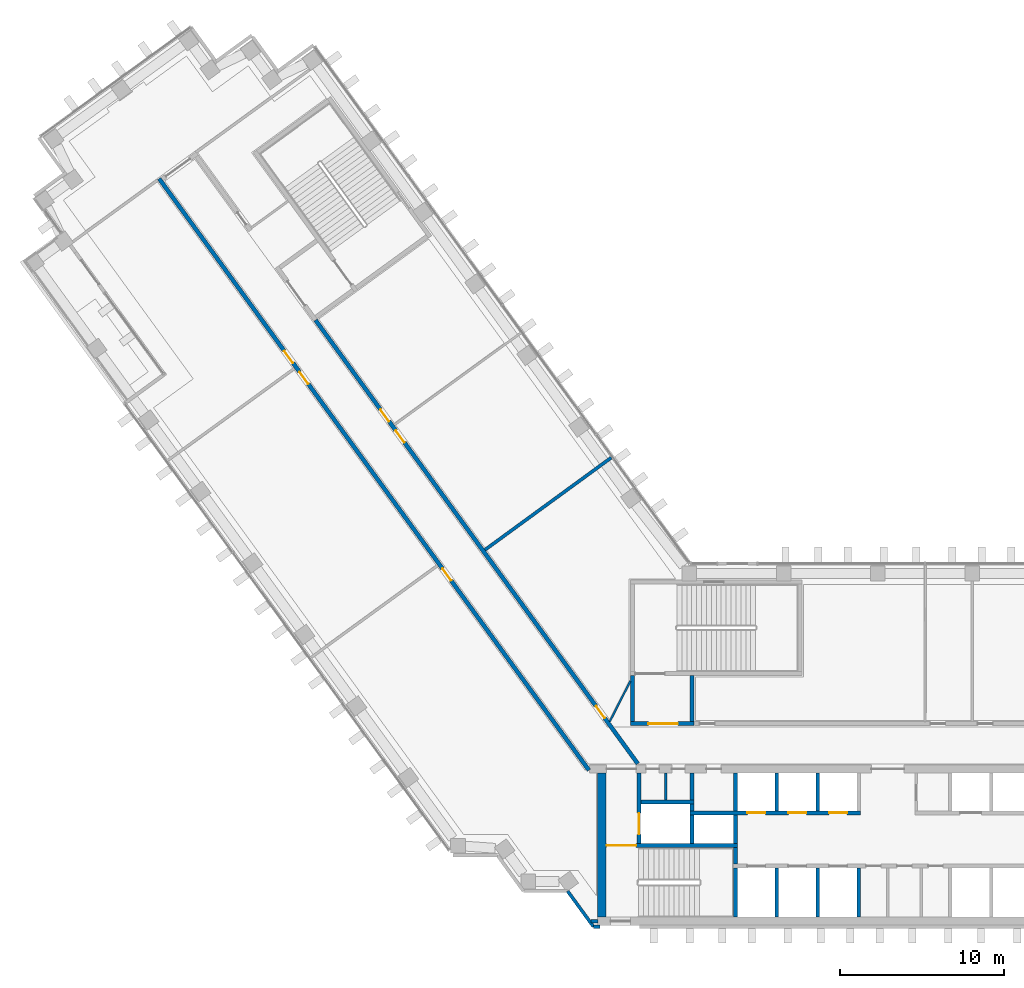
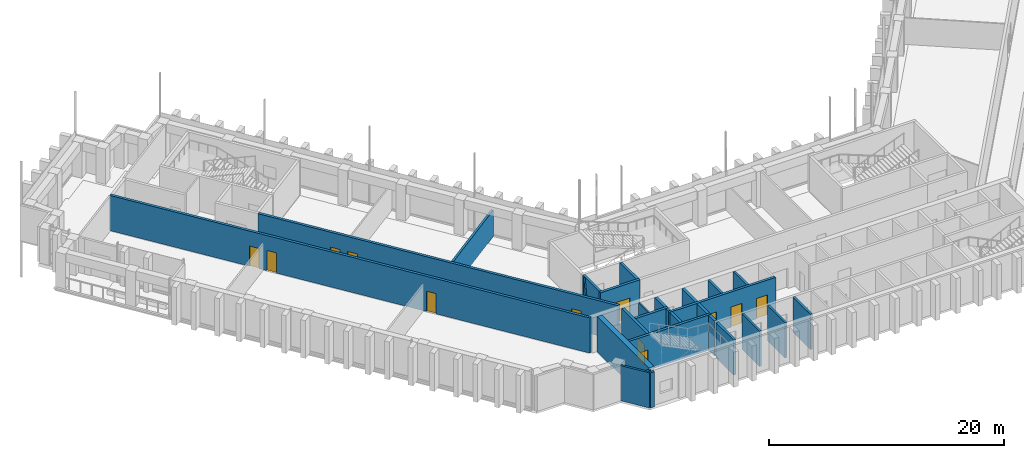
# One storey, part 11 of 19: 28 walls, 12 doors, 12 openings.
"""IFC4 building model written with IfcOpenShell, lengths in metres."""

from ifc_helpers import new_model, si_unit, direction, frame, frame_2d, origin, place, context, subcontext, project, spatial, rectangle, extrude, material, layer, layer_set, type_object, element, fill, save


model = new_model("IFC4")

# Units and contexts
model_context = context("Model", 3, precision=1e-05, world=origin(), true_north=direction((0.0, 1.0)))
body_context = subcontext(model_context, "Body", "Model", "MODEL_VIEW")
ifc_project = project(units=[si_unit("LENGTHUNIT", "METRE"), si_unit("AREAUNIT", "SQUARE_METRE"), si_unit("VOLUMEUNIT", "CUBIC_METRE"), si_unit("PLANEANGLEUNIT", "RADIAN"), si_unit("MASSUNIT", "GRAM", prefix="KILO")], contexts=[model_context])

# Site, building, storey
site_placement = place(None, origin())
site = spatial("IfcSite", under=ifc_project, at=site_placement, CompositionType="ELEMENT")
building_placement = place(site_placement, origin())
building = spatial("IfcBuilding", under=site, at=building_placement, Name="Quipu Civic Tower", CompositionType="ELEMENT")
storey_placement = place(building_placement, frame((0.0, 0.0, 35.0)))
storey = spatial("IfcBuildingStorey", under=building, at=storey_placement, Name="L07", CompositionType="ELEMENT", Elevation=35.0)

# Walls
ifc_material_1 = material(Name="Fired clay blockwork", Category="masonry")
ifc_layer_1 = layer(ifc_material_1, 0.199951171875)
ifc_layer_set_1 = layer_set([ifc_layer_1], Name="Fired clay blockwork")
wall_type_1 = type_object("IfcWallType", Name="Blockwork wall 200", PredefinedType="SOLIDWALL", material=ifc_layer_set_1)
wall_1_placement = place(storey_placement, frame((-26.882080078125, 11.93994140625, 0.0), z_axis=(0.0, 0.0, 1.0), x_axis=(0.807664588563, 0.589642190131, 0.0)))
element("IfcWall", 1, at=wall_1_placement, inside=storey, type_object=wall_type_1, Name="Partition P08", PredefinedType="SOLIDWALL", context=body_context, shape_type="SweptSolid", body=[
    extrude(rectangle(XDim=9.549560546875, YDim=0.199951171875, at=frame_2d((4.77490234375, 0.0))), origin(), (0.0, 0.0, 1.0), 2.75),
])
ifc_material_2 = material(Name="Concrete C70/85", Category="concrete")
ifc_layer_2 = layer(ifc_material_2, 0.25)
ifc_layer_set_2 = layer_set([ifc_layer_2], Name="Concrete C70/85")
wall_type_2 = type_object("IfcWallType", Name="Core wall 250", PredefinedType="SHEAR", material=ifc_layer_set_2)
wall_2_placement = place(storey_placement, frame((-11.574951171875, -10.5, 0.0), z_axis=(0.0, 0.0, 1.0), x_axis=(0.0, 1.0, 0.0)))
element("IfcWall", 2, at=wall_2_placement, inside=storey, type_object=wall_type_2, Name="Core wall", PredefinedType="SHEAR", context=body_context, shape_type="SweptSolid", body=[
    extrude(rectangle(XDim=3.0, YDim=0.25, at=frame_2d((1.5, 0.0))), origin(), (0.0, 0.0, 1.0), 3.64990234375),
])
wall_3_placement = place(storey_placement, frame((-11.574951171875, -7.25, 0.0), z_axis=(0.0, 0.0, 1.0), x_axis=(0.0, 1.0, 0.0)))
element("IfcWall", 3, at=wall_3_placement, inside=storey, type_object=wall_type_2, Name="Core wall", PredefinedType="SHEAR", context=body_context, shape_type="SweptSolid", body=[
    extrude(rectangle(XDim=1.0, YDim=0.25, at=frame_2d((0.5, 0.0))), origin(), (0.0, 0.0, 1.0), 3.64990234375),
])

# Wall, opening, door
wall_4_placement = place(storey_placement, frame((-11.449951171875, -6.125, 0.0), z_axis=(0.0, 0.0, 1.0), x_axis=(-1.0, 0.0, 0.0)))
wall_4 = element("IfcWall", 4, at=wall_4_placement, inside=storey, type_object=wall_type_2, Name="Core wall", PredefinedType="SHEAR", context=body_context, shape_type="SweptSolid", body=[
    extrude(rectangle(XDim=8.050048828125, YDim=0.25, at=frame_2d((4.02490234375, 0.0))), origin(), (0.0, 0.0, 1.0), 3.64990234375),
])
opening_1_placement = place(wall_4_placement, frame((6.199951171875, 0.0, 0.0)))
opening_1 = element("IfcOpeningElement", 5, at=opening_1_placement, cuts=wall_4, Name="Opening CD-04", PredefinedType="OPENING", context=body_context, shape_type="SweptSolid", body=[
    extrude(rectangle(XDim=1.800048828125, YDim=2.10009765625, at=frame_2d((0.89990234375, 1.050048828125))), frame((0.0, 0.135009765625, 0.0), z_axis=(0.0, -1.0, 0.0), x_axis=(1.0, 0.0, 0.0)), (0.0, 0.0, 1.0), 0.27001953125),
])
ifc_material_3 = material(Name="Fire rated steel door", Category="steel")
door_type_1 = type_object("IfcDoorType", Name="Fire door FD90 double 1800 x 2100", OperationType="NOTDEFINED", PredefinedType="DOOR", material=ifc_material_3)
door_1_placement = place(opening_1_placement, origin())
door_1 = element("IfcDoor", 6, at=door_1_placement, inside=storey, type_object=door_type_1, Name="Door", OperationType="DOUBLE_DOOR_SINGLE_SWING", OverallHeight=2.10009765625, OverallWidth=1.800048828125, PredefinedType="DOOR", context=body_context, shape_type="SweptSolid", body=[
    extrude(rectangle(XDim=1.800048828125, YDim=2.10009765625, at=frame_2d((0.89990234375, 1.050048828125))), frame((0.0, 0.02490234375, 0.0), z_axis=(0.0, -1.0, 0.0), x_axis=(1.0, 0.0, 0.0)), (0.0, 0.0, 1.0), 0.050048828125),
])
fill(opening_1, door_1)

wall_5_placement = place(storey_placement, frame((-17.47509765625, -6.0, 0.0), z_axis=(0.0, 0.0, 1.0), x_axis=(0.0, 1.0, 0.0)))
wall_5 = element("IfcWall", 7, at=wall_5_placement, inside=storey, type_object=wall_type_2, Name="Core wall", PredefinedType="SHEAR", context=body_context, shape_type="SweptSolid", body=[
    extrude(rectangle(XDim=4.300048828125, YDim=0.25, at=frame_2d((2.14990234375, 0.0))), origin(), (0.0, 0.0, 1.0), 3.64990234375),
])
opening_2_placement = place(wall_5_placement, frame((0.550048828125, 0.0, 0.0)))
opening_2 = element("IfcOpeningElement", 8, at=opening_2_placement, cuts=wall_5, Name="Opening LD-FF1", PredefinedType="OPENING", context=body_context, shape_type="SweptSolid", body=[
    extrude(rectangle(XDim=1.300048828125, YDim=2.10009765625, at=frame_2d((0.64990234375, 1.050048828125))), frame((0.0, 0.135009765625, 0.0), z_axis=(0.0, -1.0, 0.0), x_axis=(1.0, 0.0, 0.0)), (0.0, 0.0, 1.0), 0.27001953125),
])
ifc_material_4 = material(Name="Stainless steel", Category="steel")
door_type_2 = type_object("IfcDoorType", Name="Lift landing door 1300 x 2100", OperationType="DOUBLE_DOOR_SLIDING", PredefinedType="DOOR", material=ifc_material_4)
door_2_placement = place(opening_2_placement, origin())
door_2 = element("IfcDoor", 9, at=door_2_placement, inside=storey, type_object=door_type_2, Name="Landing door FF1", OperationType="DOUBLE_DOOR_SLIDING", OverallHeight=2.10009765625, OverallWidth=1.300048828125, PredefinedType="DOOR", context=body_context, shape_type="SweptSolid", body=[
    extrude(rectangle(XDim=1.300048828125, YDim=2.10009765625, at=frame_2d((0.64990234375, 1.050048828125))), frame((0.0, 0.02490234375, 0.0), z_axis=(0.0, -1.0, 0.0), x_axis=(1.0, 0.0, 0.0)), (0.0, 0.0, 1.0), 0.050048828125),
])
fill(opening_2, door_2)

# Walls
for number, where, z_axis, x_axis, name in (
    (10, (-14.22509765625, -6.0, 0.0), (0.0, 0.0, 1.0), (0.0, 1.0, 0.0), "Core wall"),
    (11, (-11.574951171875, -6.0, 0.0), (0.0, 0.0, 1.0), (0.0, 1.0, 0.0), "Core wall"),
):
    element("IfcWall", number, at=place(storey_placement, frame(where, z_axis=z_axis, x_axis=x_axis)), inside=storey, type_object=wall_type_2, Name=name, PredefinedType="SHEAR", context=body_context, shape_type="SweptSolid", body=[
        extrude(rectangle(XDim=1.75, YDim=0.25, at=frame_2d((0.875, 0.0))), origin(), (0.0, 0.0, 1.0), 3.64990234375),
    ])

# Wall, openings, doors
wall_6_placement = place(storey_placement, frame((-14.35009765625, -4.125, 0.0), z_axis=(0.0, 0.0, 1.0), x_axis=(1.0, 0.0, 0.0)))
wall_6 = element("IfcWall", 12, at=wall_6_placement, inside=storey, type_object=wall_type_2, Name="Core wall", PredefinedType="SHEAR", context=body_context, shape_type="SweptSolid", body=[
    extrude(rectangle(XDim=10.400146484375, YDim=0.25, at=frame_2d((5.2001953125, 0.0))), origin(), (0.0, 0.0, 1.0), 3.64990234375),
])
opening_3_placement = place(wall_6_placement, frame((3.5, 0.0, 0.0)))
opening_3 = element("IfcOpeningElement", 13, at=opening_3_placement, cuts=wall_6, Name="Opening LD-LL4", PredefinedType="OPENING", context=body_context, shape_type="SweptSolid", body=[
    extrude(rectangle(XDim=1.10009765625, YDim=2.10009765625, at=frame_2d((0.550048828125, 1.050048828125))), frame((0.0, 0.135009765625, 0.0), z_axis=(0.0, -1.0, 0.0), x_axis=(1.0, 0.0, 0.0)), (0.0, 0.0, 1.0), 0.27001953125),
])
opening_4_placement = place(wall_6_placement, frame((6.0, 0.0, 0.0)))
opening_4 = element("IfcOpeningElement", 14, at=opening_4_placement, cuts=wall_6, Name="Opening LD-LL5", PredefinedType="OPENING", context=body_context, shape_type="SweptSolid", body=[
    extrude(rectangle(XDim=1.10009765625, YDim=2.10009765625, at=frame_2d((0.550048828125, 1.050048828125))), frame((0.0, 0.135009765625, 0.0), z_axis=(0.0, -1.0, 0.0), x_axis=(1.0, 0.0, 0.0)), (0.0, 0.0, 1.0), 0.27001953125),
])
opening_5_placement = place(wall_6_placement, frame((8.5, 0.0, 0.0)))
opening_5 = element("IfcOpeningElement", 15, at=opening_5_placement, cuts=wall_6, Name="Opening LD-LL6", PredefinedType="OPENING", context=body_context, shape_type="SweptSolid", body=[
    extrude(rectangle(XDim=1.10009765625, YDim=2.10009765625, at=frame_2d((0.550048828125, 1.050048828125))), frame((0.0, 0.135009765625, 0.0), z_axis=(0.0, -1.0, 0.0), x_axis=(1.0, 0.0, 0.0)), (0.0, 0.0, 1.0), 0.27001953125),
])
ifc_material_5 = material(Name="Stainless steel", Category="steel")
door_type_3 = type_object("IfcDoorType", Name="Lift landing door 1100 x 2100", OperationType="DOUBLE_DOOR_SLIDING", PredefinedType="DOOR", material=ifc_material_5)
door_3_placement = place(opening_3_placement, origin())
door_3 = element("IfcDoor", 16, at=door_3_placement, inside=storey, type_object=door_type_3, Name="Landing door LL4", OperationType="DOUBLE_DOOR_SLIDING", OverallHeight=2.10009765625, OverallWidth=1.10009765625, PredefinedType="DOOR", context=body_context, shape_type="SweptSolid", body=[
    extrude(rectangle(XDim=1.10009765625, YDim=2.10009765625, at=frame_2d((0.550048828125, 1.050048828125))), frame((0.0, 0.02490234375, 0.0), z_axis=(0.0, -1.0, 0.0), x_axis=(1.0, 0.0, 0.0)), (0.0, 0.0, 1.0), 0.050048828125),
])
fill(opening_3, door_3)
door_4_placement = place(opening_4_placement, origin())
door_4 = element("IfcDoor", 17, at=door_4_placement, inside=storey, type_object=door_type_3, Name="Landing door LL5", OperationType="DOUBLE_DOOR_SLIDING", OverallHeight=2.10009765625, OverallWidth=1.10009765625, PredefinedType="DOOR", context=body_context, shape_type="SweptSolid", body=[
    extrude(rectangle(XDim=1.10009765625, YDim=2.10009765625, at=frame_2d((0.550048828125, 1.050048828125))), frame((0.0, 0.02490234375, 0.0), z_axis=(0.0, -1.0, 0.0), x_axis=(1.0, 0.0, 0.0)), (0.0, 0.0, 1.0), 0.050048828125),
])
fill(opening_4, door_4)
door_5_placement = place(opening_5_placement, origin())
door_5 = element("IfcDoor", 18, at=door_5_placement, inside=storey, type_object=door_type_3, Name="Landing door LL6", OperationType="DOUBLE_DOOR_SLIDING", OverallHeight=2.10009765625, OverallWidth=1.10009765625, PredefinedType="DOOR", context=body_context, shape_type="SweptSolid", body=[
    extrude(rectangle(XDim=1.10009765625, YDim=2.10009765625, at=frame_2d((0.550048828125, 1.050048828125))), frame((0.0, 0.02490234375, 0.0), z_axis=(0.0, -1.0, 0.0), x_axis=(1.0, 0.0, 0.0)), (0.0, 0.0, 1.0), 0.050048828125),
])
fill(opening_5, door_5)

# Walls
wall_7_placement = place(storey_placement, frame((-14.22509765625, -4.0, 0.0), z_axis=(0.0, 0.0, 1.0), x_axis=(0.0, 1.0, 0.0)))
element("IfcWall", 19, at=wall_7_placement, inside=storey, type_object=wall_type_2, Name="Core wall", PredefinedType="SHEAR", context=body_context, shape_type="SweptSolid", body=[
    extrude(rectangle(XDim=0.39990234375, YDim=0.25, at=frame_2d((0.199951171875, 0.0))), origin(), (0.0, 0.0, 1.0), 3.64990234375),
])
wall_8_placement = place(storey_placement, frame((-11.574951171875, -4.0, 0.0), z_axis=(0.0, 0.0, 1.0), x_axis=(0.0, 1.0, 0.0)))
element("IfcWall", 20, at=wall_8_placement, inside=storey, type_object=wall_type_2, Name="Core wall", PredefinedType="SHEAR", context=body_context, shape_type="SweptSolid", body=[
    extrude(rectangle(XDim=2.300048828125, YDim=0.25, at=frame_2d((1.14990234375, 0.0))), origin(), (0.0, 0.0, 1.0), 3.64990234375),
])
wall_9_placement = place(storey_placement, frame((-17.35009765625, -3.47509765625, 0.0), z_axis=(0.0, 0.0, 1.0), x_axis=(1.0, 0.0, 0.0)))
element("IfcWall", 21, at=wall_9_placement, inside=storey, type_object=wall_type_2, Name="Core wall", PredefinedType="SHEAR", context=body_context, shape_type="SweptSolid", body=[
    extrude(rectangle(XDim=3.25, YDim=0.25, at=frame_2d((1.625, 0.0))), origin(), (0.0, 0.0, 1.0), 3.64990234375),
])
wall_10_placement = place(storey_placement, frame((-14.22509765625, -3.35009765625, 0.0), z_axis=(0.0, 0.0, 1.0), x_axis=(0.0, 1.0, 0.0)))
element("IfcWall", 22, at=wall_10_placement, inside=storey, type_object=wall_type_2, Name="Core wall", PredefinedType="SHEAR", context=body_context, shape_type="SweptSolid", body=[
    extrude(rectangle(XDim=1.650146484375, YDim=0.25, at=frame_2d((0.8251953125, 0.0))), origin(), (0.0, 0.0, 1.0), 3.64990234375),
])

# Wall, opening, door
wall_11_placement = place(storey_placement, frame((-18.0, 1.324951171875, 0.0), z_axis=(0.0, 0.0, 1.0), x_axis=(1.0, 0.0, 0.0)))
wall_11 = element("IfcWall", 23, at=wall_11_placement, inside=storey, type_object=wall_type_2, Name="Core wall", PredefinedType="SHEAR", context=body_context, shape_type="SweptSolid", body=[
    extrude(rectangle(XDim=3.89990234375, YDim=0.25, at=frame_2d((1.949951171875, 0.0))), origin(), (0.0, 0.0, 1.0), 3.64990234375),
])
opening_6_placement = place(wall_11_placement, frame((1.10009765625, 0.0, 0.0)))
opening_6 = element("IfcOpeningElement", 24, at=opening_6_placement, cuts=wall_11, Name="Opening CD-15", PredefinedType="OPENING", context=body_context, shape_type="SweptSolid", body=[
    extrude(rectangle(XDim=1.800048828125, YDim=2.10009765625, at=frame_2d((0.89990234375, 1.050048828125))), frame((0.0, 0.135009765625, 0.0), z_axis=(0.0, -1.0, 0.0), x_axis=(1.0, 0.0, 0.0)), (0.0, 0.0, 1.0), 0.27001953125),
])
door_6_placement = place(opening_6_placement, origin())
door_6 = element("IfcDoor", 25, at=door_6_placement, inside=storey, type_object=door_type_1, Name="Lobby door", OperationType="DOUBLE_DOOR_SINGLE_SWING", OverallHeight=2.10009765625, OverallWidth=1.800048828125, PredefinedType="DOOR", context=body_context, shape_type="SweptSolid", body=[
    extrude(rectangle(XDim=1.800048828125, YDim=2.10009765625, at=frame_2d((0.89990234375, 1.050048828125))), frame((0.0, 0.02490234375, 0.0), z_axis=(0.0, -1.0, 0.0), x_axis=(1.0, 0.0, 0.0)), (0.0, 0.0, 1.0), 0.050048828125),
])
fill(opening_6, door_6)

# Walls
for number, where, z_axis, x_axis, name in (
    (26, (-17.875, 1.449951171875, 0.0), (0.0, 0.0, 1.0), (0.0, 1.0, 0.0), "Core wall"),
    (27, (-14.22509765625, 1.449951171875, 0.0), (0.0, 0.0, 1.0), (0.0, 1.0, 0.0), "Core wall"),
):
    element("IfcWall", number, at=place(storey_placement, frame(where, z_axis=z_axis, x_axis=x_axis)), inside=storey, type_object=wall_type_2, Name=name, PredefinedType="SHEAR", context=body_context, shape_type="SweptSolid", body=[
        extrude(rectangle(XDim=2.800048828125, YDim=0.25, at=frame_2d((1.39990234375, 0.0))), origin(), (0.0, 0.0, 1.0), 3.64990234375),
    ])
ifc_material_6 = material(Name="Concrete C70/85", Category="concrete")
ifc_layer_3 = layer(ifc_material_6, 0.5)
ifc_layer_set_3 = layer_set([ifc_layer_3], Name="Concrete C70/85")
wall_type_3 = type_object("IfcWallType", Name="Core wall 500", PredefinedType="SHEAR", material=ifc_layer_set_3)
wall_12_placement = place(storey_placement, frame((-19.75, -10.5, 0.0), z_axis=(0.0, 0.0, 1.0), x_axis=(0.0, 1.0, 0.0)))
element("IfcWall", 28, at=wall_12_placement, inside=storey, type_object=wall_type_3, Name="Core wall", PredefinedType="SHEAR", context=body_context, shape_type="SweptSolid", body=[
    extrude(rectangle(XDim=8.800048828125, YDim=0.5, at=frame_2d((4.39990234375, 0.0))), origin(), (0.0, 0.0, 1.0), 3.64990234375),
])

# Wall, openings, doors
ifc_material_7 = material(Name="Concrete C50/60", Category="concrete")
ifc_layer_4 = layer(ifc_material_7, 0.25)
ifc_layer_set_4 = layer_set([ifc_layer_4], Name="Concrete C50/60")
wall_type_4 = type_object("IfcWallType", Name="Corridor wall 250 concrete", PredefinedType="SOLIDWALL", material=ifc_layer_set_4)
wall_13_placement = place(storey_placement, frame((-20.531005859375, -1.5234375, 0.0), z_axis=(0.0, 0.0, 1.0), x_axis=(-0.587784593204, 0.809017473231, 0.0)))
wall_13 = element("IfcWall", 29, at=wall_13_placement, inside=storey, type_object=wall_type_4, Name="Corridor wall C01", PredefinedType="SOLIDWALL", context=body_context, shape_type="SweptSolid", body=[
    extrude(rectangle(XDim=44.67041015625, YDim=0.25, at=frame_2d((22.335205078125, 0.0))), origin(), (0.0, 0.0, 1.0), 3.64990234375),
])
opening_7_placement = place(wall_13_placement, frame((30.765380859375, 0.0, 0.0)))
opening_7 = element("IfcOpeningElement", 30, at=opening_7_placement, cuts=wall_13, Name="Opening D017", PredefinedType="OPENING", context=body_context, shape_type="SweptSolid", body=[
    extrude(rectangle(XDim=0.89990234375, YDim=2.10009765625, at=frame_2d((0.449951171875, 1.050048828125))), frame((0.0, 0.135009765625, 0.0), z_axis=(0.0, -1.0, 0.0), x_axis=(1.0, 0.0, 0.0)), (0.0, 0.0, 1.0), 0.27001953125),
])
opening_8_placement = place(wall_13_placement, frame((14.31591796875, 0.0, 0.0)))
opening_8 = element("IfcOpeningElement", 31, at=opening_8_placement, cuts=wall_13, Name="Opening D019", PredefinedType="OPENING", context=body_context, shape_type="SweptSolid", body=[
    extrude(rectangle(XDim=0.89990234375, YDim=2.10009765625, at=frame_2d((0.449951171875, 1.050048828125))), frame((0.0, 0.135009765625, 0.0), z_axis=(0.0, -1.0, 0.0), x_axis=(1.0, 0.0, 0.0)), (0.0, 0.0, 1.0), 0.27001953125),
])
opening_9_placement = place(wall_13_placement, frame((29.166015625, 0.0, 0.0)))
opening_9 = element("IfcOpeningElement", 32, at=opening_9_placement, cuts=wall_13, Name="Opening D018", PredefinedType="OPENING", context=body_context, shape_type="SweptSolid", body=[
    extrude(rectangle(XDim=0.89990234375, YDim=2.10009765625, at=frame_2d((0.449951171875, 1.050048828125))), frame((0.0, 0.135009765625, 0.0), z_axis=(0.0, -1.0, 0.0), x_axis=(1.0, 0.0, 0.0)), (0.0, 0.0, 1.0), 0.27001953125),
])
ifc_material_8 = material(Name="Fire rated timber door set with metal frame", Category="wood")
door_type_4 = type_object("IfcDoorType", Name="Single door 900 x 2100 FD60", OperationType="NOTDEFINED", PredefinedType="DOOR", material=ifc_material_8)
door_7_placement = place(opening_7_placement, origin())
door_7 = element("IfcDoor", 33, at=door_7_placement, inside=storey, type_object=door_type_4, Name="Door D017", OperationType="SINGLE_SWING_LEFT", OverallHeight=2.10009765625, OverallWidth=0.89990234375, PredefinedType="DOOR", context=body_context, shape_type="SweptSolid", body=[
    extrude(rectangle(XDim=0.89990234375, YDim=2.10009765625, at=frame_2d((0.449951171875, 1.050048828125))), frame((0.0, 0.02490234375, 0.0), z_axis=(0.0, -1.0, 0.0), x_axis=(1.0, 0.0, 0.0)), (0.0, 0.0, 1.0), 0.050048828125),
])
fill(opening_7, door_7)
door_8_placement = place(opening_8_placement, origin())
door_8 = element("IfcDoor", 34, at=door_8_placement, inside=storey, type_object=door_type_4, Name="Door D019", OperationType="SINGLE_SWING_RIGHT", OverallHeight=2.10009765625, OverallWidth=0.89990234375, PredefinedType="DOOR", context=body_context, shape_type="SweptSolid", body=[
    extrude(rectangle(XDim=0.89990234375, YDim=2.10009765625, at=frame_2d((0.449951171875, 1.050048828125))), frame((0.0, 0.02490234375, 0.0), z_axis=(0.0, -1.0, 0.0), x_axis=(1.0, 0.0, 0.0)), (0.0, 0.0, 1.0), 0.050048828125),
])
fill(opening_8, door_8)
door_9_placement = place(opening_9_placement, origin())
door_9 = element("IfcDoor", 35, at=door_9_placement, inside=storey, type_object=door_type_4, Name="Door D018", OperationType="SINGLE_SWING_RIGHT", OverallHeight=2.10009765625, OverallWidth=0.89990234375, PredefinedType="DOOR", context=body_context, shape_type="SweptSolid", body=[
    extrude(rectangle(XDim=0.89990234375, YDim=2.10009765625, at=frame_2d((0.449951171875, 1.050048828125))), frame((0.0, 0.02490234375, 0.0), z_axis=(0.0, -1.0, 0.0), x_axis=(1.0, 0.0, 0.0)), (0.0, 0.0, 1.0), 0.050048828125),
])
fill(opening_9, door_9)

wall_14_placement = place(storey_placement, frame((-37.231689453125, 25.9716796875, 0.0), z_axis=(0.0, 0.0, 1.0), x_axis=(0.587786323093, -0.809016216391, 0.0)))
wall_14 = element("IfcWall", 36, at=wall_14_placement, inside=storey, type_object=wall_type_4, Name="Corridor wall C04", PredefinedType="SOLIDWALL", context=body_context, shape_type="SweptSolid", body=[
    extrude(rectangle(XDim=33.4931640625, YDim=0.25, at=frame_2d((16.74658203125, 0.0))), origin(), (0.0, 0.0, 1.0), 3.64990234375),
])
opening_10_placement = place(wall_14_placement, frame((8.334716796875, 0.0, 0.0)))
opening_10 = element("IfcOpeningElement", 37, at=opening_10_placement, cuts=wall_14, Name="Opening D015", PredefinedType="OPENING", context=body_context, shape_type="SweptSolid", body=[
    extrude(rectangle(XDim=0.89990234375, YDim=2.10009765625, at=frame_2d((0.449951171875, 1.050048828125))), frame((0.0, 0.135009765625, 0.0), z_axis=(0.0, -1.0, 0.0), x_axis=(1.0, 0.0, 0.0)), (0.0, 0.0, 1.0), 0.27001953125),
])
opening_11_placement = place(wall_14_placement, frame((29.151611328125, 0.0, 0.0)))
opening_11 = element("IfcOpeningElement", 38, at=opening_11_placement, cuts=wall_14, Name="Opening D016", PredefinedType="OPENING", context=body_context, shape_type="SweptSolid", body=[
    extrude(rectangle(XDim=0.89990234375, YDim=2.10009765625, at=frame_2d((0.449951171875, 1.050048828125))), frame((0.0, 0.135009765625, 0.0), z_axis=(0.0, -1.0, 0.0), x_axis=(1.0, 0.0, 0.0)), (0.0, 0.0, 1.0), 0.27001953125),
])
opening_12_placement = place(wall_14_placement, frame((6.7353515625, 0.0, 0.0)))
opening_12 = element("IfcOpeningElement", 39, at=opening_12_placement, cuts=wall_14, Name="Opening D014", PredefinedType="OPENING", context=body_context, shape_type="SweptSolid", body=[
    extrude(rectangle(XDim=0.89990234375, YDim=2.10009765625, at=frame_2d((0.449951171875, 1.050048828125))), frame((0.0, 0.135009765625, 0.0), z_axis=(0.0, -1.0, 0.0), x_axis=(1.0, 0.0, 0.0)), (0.0, 0.0, 1.0), 0.27001953125),
])
door_10_placement = place(opening_10_placement, origin())
door_10 = element("IfcDoor", 40, at=door_10_placement, inside=storey, type_object=door_type_4, Name="Door D015", OperationType="SINGLE_SWING_LEFT", OverallHeight=2.10009765625, OverallWidth=0.89990234375, PredefinedType="DOOR", context=body_context, shape_type="SweptSolid", body=[
    extrude(rectangle(XDim=0.89990234375, YDim=2.10009765625, at=frame_2d((0.449951171875, 1.050048828125))), frame((0.0, 0.02490234375, 0.0), z_axis=(0.0, -1.0, 0.0), x_axis=(1.0, 0.0, 0.0)), (0.0, 0.0, 1.0), 0.050048828125),
])
fill(opening_10, door_10)
door_11_placement = place(opening_11_placement, origin())
door_11 = element("IfcDoor", 41, at=door_11_placement, inside=storey, type_object=door_type_4, Name="Door D016", OperationType="SINGLE_SWING_RIGHT", OverallHeight=2.10009765625, OverallWidth=0.89990234375, PredefinedType="DOOR", context=body_context, shape_type="SweptSolid", body=[
    extrude(rectangle(XDim=0.89990234375, YDim=2.10009765625, at=frame_2d((0.449951171875, 1.050048828125))), frame((0.0, 0.02490234375, 0.0), z_axis=(0.0, -1.0, 0.0), x_axis=(1.0, 0.0, 0.0)), (0.0, 0.0, 1.0), 0.050048828125),
])
fill(opening_11, door_11)
door_12_placement = place(opening_12_placement, origin())
door_12 = element("IfcDoor", 42, at=door_12_placement, inside=storey, type_object=door_type_4, Name="Door D014", OperationType="SINGLE_SWING_RIGHT", OverallHeight=2.10009765625, OverallWidth=0.89990234375, PredefinedType="DOOR", context=body_context, shape_type="SweptSolid", body=[
    extrude(rectangle(XDim=0.89990234375, YDim=2.10009765625, at=frame_2d((0.449951171875, 1.050048828125))), frame((0.0, 0.02490234375, 0.0), z_axis=(0.0, -1.0, 0.0), x_axis=(1.0, 0.0, 0.0)), (0.0, 0.0, 1.0), 0.050048828125),
])
fill(opening_12, door_12)

# Walls
ifc_material_9 = material(Name="Gypsum plasterboard on light gauge framing")
ifc_layer_5 = layer(ifc_material_9, 0.1201171875)
ifc_layer_set_5 = layer_set([ifc_layer_5], Name="Gypsum plasterboard on light gauge framing")
wall_type_5 = type_object("IfcWallType", Name="Partition 120 plasterboard", PredefinedType="PARTITIONING", material=ifc_layer_set_5)
wall_15_placement = place(storey_placement, frame((-19.260986328125, 1.449951171875, 0.0), z_axis=(0.0, 0.0, 1.0), x_axis=(0.453950796792, 0.891026752736, 0.0)))
element("IfcWall", 43, at=wall_15_placement, inside=storey, type_object=wall_type_5, Name="Partition P18", PredefinedType="PARTITIONING", context=body_context, shape_type="SweptSolid", body=[
    extrude(rectangle(XDim=2.77783203125, YDim=0.1201171875, at=frame_2d((1.388916015625, 0.0))), origin(), (0.0, 0.0, 1.0), 3.64990234375),
])
ifc_material_10 = material(Name="Gypsum board partition")
ifc_layer_6 = layer(ifc_material_10, 0.14990234375)
ifc_layer_set_6 = layer_set([ifc_layer_6], Name="Gypsum board partition")
wall_type_6 = type_object("IfcWallType", Name="Partition 150", PredefinedType="PARTITIONING", material=ifc_layer_set_6)
wall_16_placement = place(storey_placement, frame((-15.85009765625, -3.35009765625, 0.0), z_axis=(0.0, 0.0, 1.0), x_axis=(0.0, 1.0, 0.0)))
element("IfcWall", 44, at=wall_16_placement, inside=storey, type_object=wall_type_6, Name="Partition", PredefinedType="PARTITIONING", context=body_context, shape_type="SweptSolid", body=[
    extrude(rectangle(XDim=1.650146484375, YDim=0.14990234375, at=frame_2d((0.8251953125, 0.0))), origin(), (0.0, 0.0, 1.0), 3.64990234375),
])
ifc_material_11 = material(Name="Precast concrete C40/50", Category="concrete")
wall_type_7 = type_object("IfcWallType", Name="Precast cladding wall", PredefinedType="SOLIDWALL", material=ifc_material_11)
wall_17_placement = place(storey_placement, frame((-21.8330078125, -8.90869140625, 0.0), z_axis=(0.0, 0.0, 1.0), x_axis=(0.587766567315, -0.809030569476, 0.0)))
element("IfcWall", 45, at=wall_17_placement, inside=storey, type_object=wall_type_7, Name="Precast cladding wall L07 P04", PredefinedType="SOLIDWALL", context=body_context, shape_type="SweptSolid", body=[
    extrude(rectangle(XDim=2.687744140625, YDim=0.199951171875, at=frame_2d((1.34375, 0.0))), origin(), (0.0, 0.0, 1.0), 3.64990234375),
])
wall_18_placement = place(storey_placement, frame((-20.255859375, -11.087890625, 0.0), z_axis=(0.0, 0.0, 1.0), x_axis=(1.0, 0.0, 0.0)))
element("IfcWall", 46, at=wall_18_placement, inside=storey, type_object=wall_type_7, Name="Precast cladding wall L07 P05", PredefinedType="SOLIDWALL", context=body_context, shape_type="SweptSolid", body=[
    extrude(rectangle(XDim=0.40576171875, YDim=0.199951171875, at=frame_2d((0.202880859375, 0.0))), origin(), (0.0, 0.0, 1.0), 3.64990234375),
])
wall_19_placement = place(storey_placement, frame((-19.97998046875, -10.75, 0.0), z_axis=(0.0, 0.0, 1.0), x_axis=(-1.0, 0.0, 0.0)))
element("IfcWall", 47, at=wall_19_placement, inside=storey, type_object=wall_type_7, Name="Precast cladding return L07 W", PredefinedType="SOLIDWALL", context=body_context, shape_type="SweptSolid", body=[
    extrude(rectangle(XDim=0.41650390625, YDim=0.199951171875, at=frame_2d((0.208251953125, 0.0))), origin(), (0.0, 0.0, 1.0), 3.64990234375),
])
ifc_material_12 = material(Name="Concrete C40/50", Category="concrete")
ifc_layer_7 = layer(ifc_material_12, 0.199951171875)
ifc_layer_set_7 = layer_set([ifc_layer_7], Name="Concrete C40/50")
wall_type_8 = type_object("IfcWallType", Name="Shaft wall 200", PredefinedType="SOLIDWALL", material=ifc_layer_set_7)
for number, where, z_axis, x_axis, name in (
    (48, (-9.050048828125, -10.5, 0.0), (0.0, 0.0, 1.0), (0.0, 1.0, 0.0), "Shaft wall"),
    (49, (-6.550048828125, -10.5, 0.0), (0.0, 0.0, 1.0), (0.0, 1.0, 0.0), "Shaft wall"),
    (50, (-4.050048828125, -10.5, 0.0), (0.0, 0.0, 1.0), (0.0, 1.0, 0.0), "Shaft wall"),
):
    element("IfcWall", number, at=place(storey_placement, frame(where, z_axis=z_axis, x_axis=x_axis)), inside=storey, type_object=wall_type_8, Name=name, PredefinedType="SOLIDWALL", context=body_context, shape_type="SweptSolid", body=[
        extrude(rectangle(XDim=3.0, YDim=0.199951171875, at=frame_2d((1.5, 0.0))), origin(), (0.0, 0.0, 1.0), 3.64990234375),
    ])
for number, where, z_axis, x_axis, name in (
    (51, (-9.050048828125, -4.0, 0.0), (0.0, 0.0, 1.0), (0.0, 1.0, 0.0), "Shaft wall"),
    (52, (-6.550048828125, -4.0, 0.0), (0.0, 0.0, 1.0), (0.0, 1.0, 0.0), "Shaft wall"),
):
    element("IfcWall", number, at=place(storey_placement, frame(where, z_axis=z_axis, x_axis=x_axis)), inside=storey, type_object=wall_type_8, Name=name, PredefinedType="SOLIDWALL", context=body_context, shape_type="SweptSolid", body=[
        extrude(rectangle(XDim=2.300048828125, YDim=0.199951171875, at=frame_2d((1.14990234375, 0.0))), origin(), (0.0, 0.0, 1.0), 3.64990234375),
    ])

save(model, "model.ifc")
